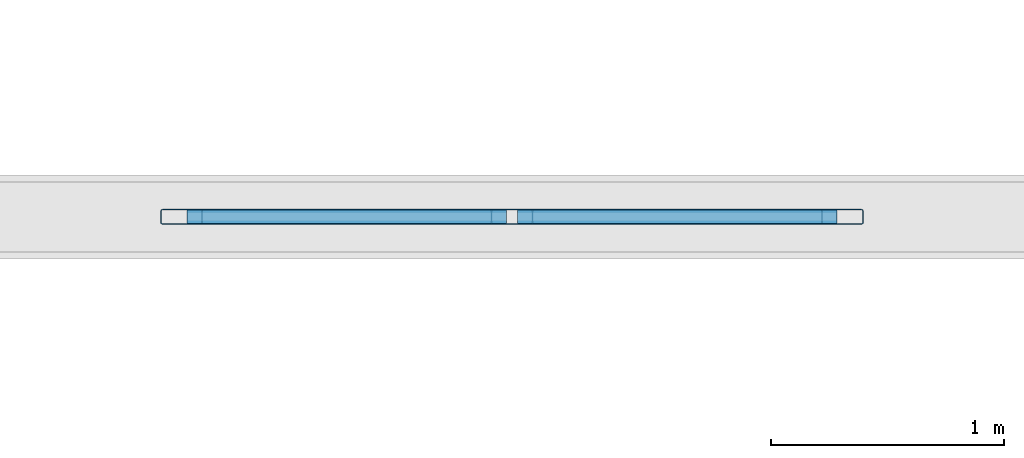
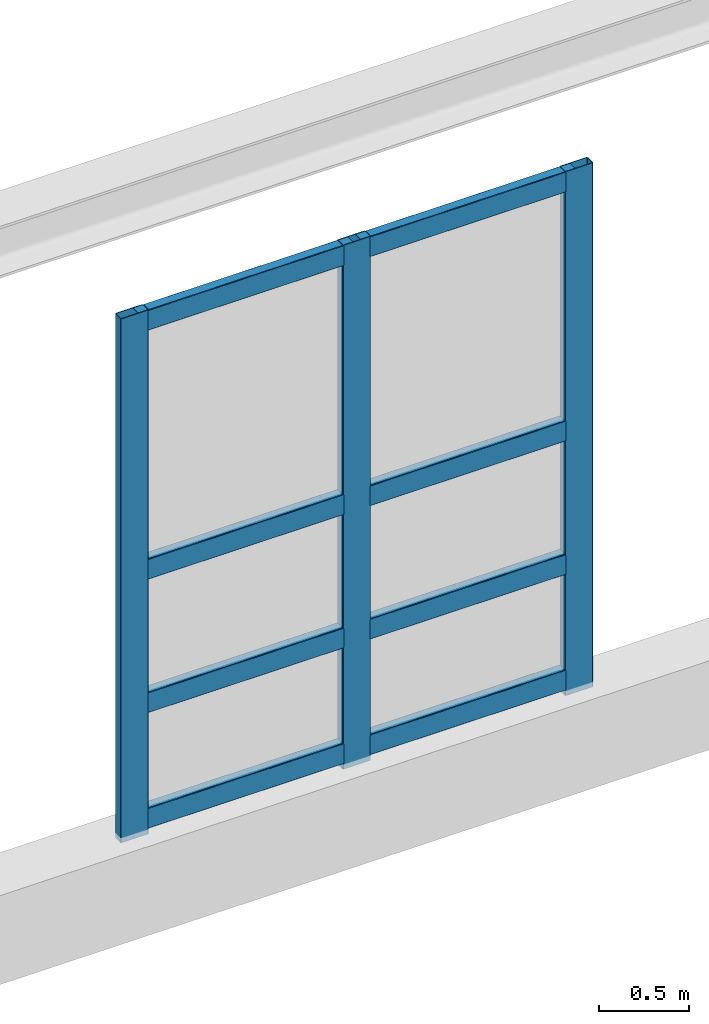
# One storey, part 52 of 197: 11 members, 1 element without a shape of its own.
"""IFC4 building model written with IfcOpenShell, lengths in metres."""

from ifc_helpers import new_model, si_unit, derived_unit, direction, frame, origin, origin_2d, place, context, subcontext, project, spatial, hollow_rectangle, extrude, material, layer, layer_set, material_profile, profile_set, type_object, element, aggregate, save


model = new_model("IFC4")

# Units and contexts
model_context = context("Model", 3, precision=1e-05, world=origin(), true_north=direction((0.0, 1.0)))
body_context = subcontext(model_context, "Body", "Model", "MODEL_VIEW")
ifc_project = project(units=[si_unit("LENGTHUNIT", "METRE"), si_unit("AREAUNIT", "SQUARE_METRE"), si_unit("VOLUMEUNIT", "CUBIC_METRE"), si_unit("PLANEANGLEUNIT", "RADIAN"), si_unit("MASSUNIT", "GRAM", prefix="KILO"), derived_unit("THERMALTRANSMITTANCEUNIT", [(si_unit("POWERUNIT", "WATT"), 1), (si_unit("LENGTHUNIT", "METRE"), -2), (si_unit("THERMODYNAMICTEMPERATUREUNIT", "KELVIN"), -1)])], contexts=[model_context])

# Site, building, storey
site_placement = place(None, origin())
site = spatial("IfcSite", under=ifc_project, at=site_placement, CompositionType="ELEMENT")
building_placement = place(site_placement, origin())
building = spatial("IfcBuilding", under=site, at=building_placement, Name="Almenara Railside Exhibition Hall", CompositionType="ELEMENT")
storey_placement = place(building_placement, frame((0.0, 0.0, 5.39990234375)))
storey = spatial("IfcBuildingStorey", under=building, at=storey_placement, Name="L01", CompositionType="ELEMENT", Elevation=5.39990234375)

# Curtain wall, members
ifc_material_1 = material(Name="Bronze-anodised aluminium and low-E double glazing", Category="aluminium")
ifc_layer = layer(ifc_material_1, 0.179931640625, Name="Bronze-anodised aluminium and low-E double glazing")
ifc_layer_set = layer_set([ifc_layer], Name="Bronze-anodised aluminium and low-E double glazing")
curtain_wall_type = type_object("IfcCurtainWallType", Name="Courtyard East Galeria Curtain Wall 2900x3500", PredefinedType="NOTDEFINED", material=ifc_layer_set)
curtain_wall_placement = place(storey_placement, origin())
curtain_wall = element("IfcCurtainWall", 1, at=curtain_wall_placement, inside=storey, type_object=curtain_wall_type, Name="Curtain wall CW-CY2-144", PredefinedType="NOTDEFINED")
ifc_material_2 = material(Name="Bronze-anodised aluminium", Category="aluminium")
ifc_material_profile_1 = material_profile(ifc_material_2, hollow_rectangle(XDim=0.06494140625, YDim=0.179931640625, WallThickness=0.00390625, InnerFilletRadius=0.00390625, OuterFilletRadius=0.008056640625, at=origin_2d()), Name="ALU-MUL 65x180x4")
ifc_profile_set_1 = profile_set([ifc_material_profile_1], Name="Bronze-anodised aluminium")
member_type_1 = type_object("IfcMemberType", Name="Curtain Wall Mullion 65x180x4", PredefinedType="MULLION", material=ifc_profile_set_1)
member_1_placement = place(storey_placement, frame((87.71435546875, 54.0, 0.565185546875), z_axis=(0.0, 0.0, 1.0), x_axis=(0.0, 1.0, 0.0)))
member_1 = element("IfcMember", 2, at=member_1_placement, type_object=member_type_1, Name="CW-CY2-144 mullion 1", PredefinedType="MULLION", context=body_context, shape_type="SweptSolid", body=[
    extrude(hollow_rectangle(XDim=0.06494140625, YDim=0.179931640625, WallThickness=0.00390625, InnerFilletRadius=0.00390625, OuterFilletRadius=0.008056640625, at=origin_2d()), origin(), (0.0, 0.0, 1.0), 3.534912109375),
])
member_2_placement = place(storey_placement, frame((89.1318359375, 54.0, 0.565185546875), z_axis=(0.0, 0.0, 1.0), x_axis=(0.0, 1.0, 0.0)))
member_2 = element("IfcMember", 3, at=member_2_placement, type_object=member_type_1, Name="CW-CY2-144 mullion 2", PredefinedType="MULLION", context=body_context, shape_type="SweptSolid", body=[
    extrude(hollow_rectangle(XDim=0.06494140625, YDim=0.179931640625, WallThickness=0.00390625, InnerFilletRadius=0.00390625, OuterFilletRadius=0.008056640625, at=origin_2d()), origin(), (0.0, 0.0, 1.0), 3.534912109375),
])
member_3_placement = place(storey_placement, frame((90.54931640625, 54.0, 0.565185546875), z_axis=(0.0, 0.0, 1.0), x_axis=(0.0, 1.0, 0.0)))
member_3 = element("IfcMember", 4, at=member_3_placement, type_object=member_type_1, Name="CW-CY2-144 mullion 3", PredefinedType="MULLION", context=body_context, shape_type="SweptSolid", body=[
    extrude(hollow_rectangle(XDim=0.06494140625, YDim=0.179931640625, WallThickness=0.00390625, InnerFilletRadius=0.00390625, OuterFilletRadius=0.008056640625, at=origin_2d()), origin(), (0.0, 0.0, 1.0), 3.534912109375),
])
ifc_material_profile_2 = material_profile(ifc_material_2, hollow_rectangle(XDim=0.06494140625, YDim=0.139892578125, WallThickness=0.00341796875, InnerFilletRadius=0.00341796875, OuterFilletRadius=0.007080078125, at=origin_2d()), Name="ALU-TRN 65x140x3.5")
ifc_profile_set_2 = profile_set([ifc_material_profile_2], Name="Bronze-anodised aluminium")
member_type_2 = type_object("IfcMemberType", Name="Curtain Wall Transom 65x140x3.5", PredefinedType="USERDEFINED", material=ifc_profile_set_2)
member_4_placement = place(storey_placement, frame((87.73876953125, 54.0, 0.670166015625), z_axis=(1.0, 0.0, 0.0), x_axis=(0.0, 1.0, 0.0)))
member_4 = element("IfcMember", 5, at=member_4_placement, type_object=member_type_2, Name="CW-CY2-144 transom 1.1", ObjectType="TRANSOM", PredefinedType="USERDEFINED", context=body_context, shape_type="SweptSolid", body=[
    extrude(hollow_rectangle(XDim=0.06494140625, YDim=0.139892578125, WallThickness=0.00341796875, InnerFilletRadius=0.00341796875, OuterFilletRadius=0.007080078125, at=origin_2d()), origin(), (0.0, 0.0, 1.0), 1.36865234375),
])
member_5_placement = place(storey_placement, frame((87.73876953125, 54.0, 1.4501953125), z_axis=(1.0, 0.0, 0.0), x_axis=(0.0, 1.0, 0.0)))
member_5 = element("IfcMember", 6, at=member_5_placement, type_object=member_type_2, Name="CW-CY2-144 transom 1.2", ObjectType="TRANSOM", PredefinedType="USERDEFINED", context=body_context, shape_type="SweptSolid", body=[
    extrude(hollow_rectangle(XDim=0.06494140625, YDim=0.139892578125, WallThickness=0.00341796875, InnerFilletRadius=0.00341796875, OuterFilletRadius=0.007080078125, at=origin_2d()), origin(), (0.0, 0.0, 1.0), 1.36865234375),
])
member_6_placement = place(storey_placement, frame((87.73876953125, 54.0, 2.35009765625), z_axis=(1.0, 0.0, 0.0), x_axis=(0.0, 1.0, 0.0)))
member_6 = element("IfcMember", 7, at=member_6_placement, type_object=member_type_2, Name="CW-CY2-144 transom 1.3", ObjectType="TRANSOM", PredefinedType="USERDEFINED", context=body_context, shape_type="SweptSolid", body=[
    extrude(hollow_rectangle(XDim=0.06494140625, YDim=0.139892578125, WallThickness=0.00341796875, InnerFilletRadius=0.00341796875, OuterFilletRadius=0.007080078125, at=origin_2d()), origin(), (0.0, 0.0, 1.0), 1.36865234375),
])
member_7_placement = place(storey_placement, frame((87.73876953125, 54.0, 4.030029296875), z_axis=(1.0, 0.0, 0.0), x_axis=(0.0, 1.0, 0.0)))
member_7 = element("IfcMember", 8, at=member_7_placement, type_object=member_type_2, Name="CW-CY2-144 transom 1.4", ObjectType="TRANSOM", PredefinedType="USERDEFINED", context=body_context, shape_type="SweptSolid", body=[
    extrude(hollow_rectangle(XDim=0.06494140625, YDim=0.139892578125, WallThickness=0.00341796875, InnerFilletRadius=0.00341796875, OuterFilletRadius=0.007080078125, at=origin_2d()), origin(), (0.0, 0.0, 1.0), 1.36865234375),
])
member_8_placement = place(storey_placement, frame((89.15625, 54.0, 0.670166015625), z_axis=(1.0, 0.0, 0.0), x_axis=(0.0, 1.0, 0.0)))
member_8 = element("IfcMember", 9, at=member_8_placement, type_object=member_type_2, Name="CW-CY2-144 transom 2.1", ObjectType="TRANSOM", PredefinedType="USERDEFINED", context=body_context, shape_type="SweptSolid", body=[
    extrude(hollow_rectangle(XDim=0.06494140625, YDim=0.139892578125, WallThickness=0.00341796875, InnerFilletRadius=0.00341796875, OuterFilletRadius=0.007080078125, at=origin_2d()), origin(), (0.0, 0.0, 1.0), 1.36865234375),
])
member_9_placement = place(storey_placement, frame((89.15625, 54.0, 1.4501953125), z_axis=(1.0, 0.0, 0.0), x_axis=(0.0, 1.0, 0.0)))
member_9 = element("IfcMember", 10, at=member_9_placement, type_object=member_type_2, Name="CW-CY2-144 transom 2.2", ObjectType="TRANSOM", PredefinedType="USERDEFINED", context=body_context, shape_type="SweptSolid", body=[
    extrude(hollow_rectangle(XDim=0.06494140625, YDim=0.139892578125, WallThickness=0.00341796875, InnerFilletRadius=0.00341796875, OuterFilletRadius=0.007080078125, at=origin_2d()), origin(), (0.0, 0.0, 1.0), 1.36865234375),
])
member_10_placement = place(storey_placement, frame((89.15625, 54.0, 2.35009765625), z_axis=(1.0, 0.0, 0.0), x_axis=(0.0, 1.0, 0.0)))
member_10 = element("IfcMember", 11, at=member_10_placement, type_object=member_type_2, Name="CW-CY2-144 transom 2.3", ObjectType="TRANSOM", PredefinedType="USERDEFINED", context=body_context, shape_type="SweptSolid", body=[
    extrude(hollow_rectangle(XDim=0.06494140625, YDim=0.139892578125, WallThickness=0.00341796875, InnerFilletRadius=0.00341796875, OuterFilletRadius=0.007080078125, at=origin_2d()), origin(), (0.0, 0.0, 1.0), 1.36865234375),
])
member_11_placement = place(storey_placement, frame((89.15625, 54.0, 4.030029296875), z_axis=(1.0, 0.0, 0.0), x_axis=(0.0, 1.0, 0.0)))
member_11 = element("IfcMember", 12, at=member_11_placement, type_object=member_type_2, Name="CW-CY2-144 transom 2.4", ObjectType="TRANSOM", PredefinedType="USERDEFINED", context=body_context, shape_type="SweptSolid", body=[
    extrude(hollow_rectangle(XDim=0.06494140625, YDim=0.139892578125, WallThickness=0.00341796875, InnerFilletRadius=0.00341796875, OuterFilletRadius=0.007080078125, at=origin_2d()), origin(), (0.0, 0.0, 1.0), 1.36865234375),
])
aggregate(curtain_wall, [member_1, member_2, member_3, member_4, member_5, member_6, member_7, member_8, member_9, member_10, member_11])

save(model, "model.ifc")
